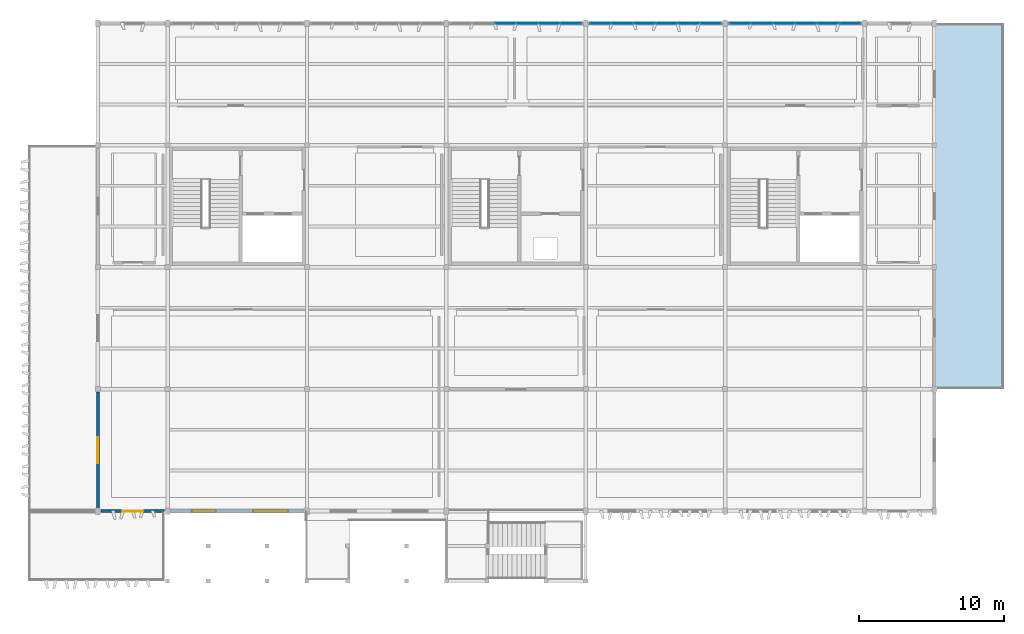
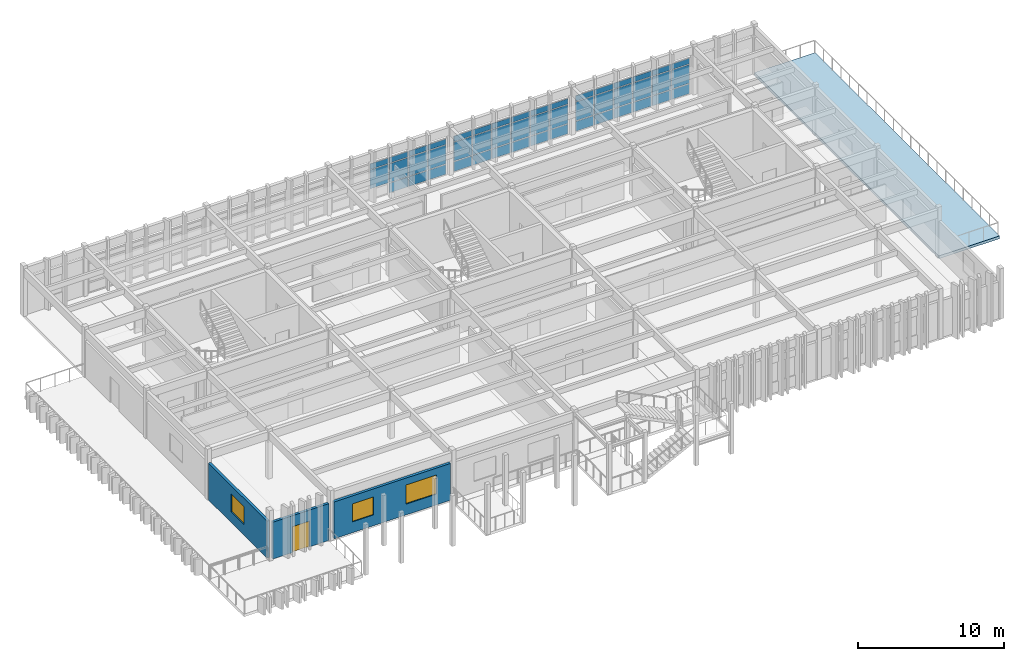
# One storey, part 7 of 14: 47 plates, 3 walls, 3 windows, 1 door, 1 slab, 4 openings, 3 elements without a shape of their own.
"""IFC4 building model written with IfcOpenShell, lengths in metres."""

from ifc_helpers import new_model, si_unit, direction, frame, frame_2d, origin, origin_2d, place, context, subcontext, project, spatial, polyline, rectangle, outline, extrude, material, layer, layer_set, type_object, element, fill, aggregate, save


model = new_model("IFC4")

# Units and contexts
model_context = context("Model", 3, precision=1e-05, world=origin(), true_north=direction((0.0, 1.0)))
body_context = subcontext(model_context, "Body", "Model", "MODEL_VIEW")
ifc_project = project(units=[si_unit("LENGTHUNIT", "METRE"), si_unit("AREAUNIT", "SQUARE_METRE"), si_unit("VOLUMEUNIT", "CUBIC_METRE"), si_unit("PLANEANGLEUNIT", "RADIAN"), si_unit("MASSUNIT", "GRAM", prefix="KILO")], contexts=[model_context])

# Site, building, storey
site_placement = place(None, origin())
site = spatial("IfcSite", under=ifc_project, at=site_placement, CompositionType="ELEMENT")
building_placement = place(site_placement, origin())
building = spatial("IfcBuilding", under=site, at=building_placement, Name="Kolvemor Railside Polytechnic", CompositionType="ELEMENT")
storey_placement = place(building_placement, frame((0.0, 0.0, 22.800048828125)))
storey = spatial("IfcBuildingStorey", under=building, at=storey_placement, Name="L05", CompositionType="ELEMENT", Elevation=22.800048828125)

# Curtain wall, plates
ifc_material_1 = material(Name="Anodised marine aluminium and laminated low-E glass", Category="aluminium")
ifc_layer_1 = layer(ifc_material_1, 0.179931640625, Name="CW-UNIT-STD")
ifc_layer_set_1 = layer_set([ifc_layer_1], Name="Anodised marine aluminium and laminated low-E glass")
curtain_wall_type = type_object("IfcCurtainWallType", Name="CW-UNIT-STD", PredefinedType="USERDEFINED", material=ifc_layer_set_1)
curtain_wall_1_placement = place(storey_placement, origin())
curtain_wall_1 = element("IfcCurtainWall", 1, at=curtain_wall_1_placement, inside=storey, type_object=curtain_wall_type, Name="Curtain Wall L05-138", ObjectType="UNITISED CURTAIN WALL", PredefinedType="USERDEFINED")
ifc_material_2 = material(Name="Hurricane-laminated solar-control low-E glass", Category="glass")
ifc_layer_2 = layer(ifc_material_2, 0.0400390625, Name="CWP-GLZ-10")
ifc_layer_set_2 = layer_set([ifc_layer_2], Name="Hurricane-laminated solar-control low-E glass")
plate_type_1 = type_object("IfcPlateType", Name="CWP-GLZ-10", PredefinedType="CURTAIN_PANEL", material=ifc_layer_set_2)
plate_1_placement = place(storey_placement, frame((94.983642578125, 38.39990234375, 0.06494140625), z_axis=(0.0, 0.0, 1.0), x_axis=(-1.0, 0.0, 0.0)))
plate_1 = element("IfcPlate", 2, at=plate_1_placement, type_object=plate_type_1, Name="CW-STD panel 1.1", PredefinedType="CURTAIN_PANEL", context=body_context, shape_type="SweptSolid", body=[
    extrude(rectangle(XDim=1.422607421875, YDim=0.0400390625, at=origin_2d()), origin(), (0.0, 0.0, 1.0), 0.802490234375),
])
plate_2_placement = place(storey_placement, frame((94.983642578125, 38.39990234375, 0.9326171875), z_axis=(0.0, 0.0, 1.0), x_axis=(-1.0, 0.0, 0.0)))
plate_2 = element("IfcPlate", 3, at=plate_2_placement, type_object=plate_type_1, Name="CW-STD panel 1.2", PredefinedType="CURTAIN_PANEL", context=body_context, shape_type="SweptSolid", body=[
    extrude(rectangle(XDim=1.422607421875, YDim=0.0400390625, at=origin_2d()), origin(), (0.0, 0.0, 1.0), 1.554931640625),
])
plate_3_placement = place(storey_placement, frame((94.983642578125, 38.39990234375, 2.552734375), z_axis=(0.0, 0.0, 1.0), x_axis=(-1.0, 0.0, 0.0)))
plate_3 = element("IfcPlate", 4, at=plate_3_placement, type_object=plate_type_1, Name="CW-STD panel 1.3", PredefinedType="CURTAIN_PANEL", context=body_context, shape_type="SweptSolid", body=[
    extrude(rectangle(XDim=1.422607421875, YDim=0.0400390625, at=origin_2d()), origin(), (0.0, 0.0, 1.0), 0.452392578125),
])
plate_4_placement = place(storey_placement, frame((93.47998046875, 38.39990234375, 0.06494140625), z_axis=(0.0, 0.0, 1.0), x_axis=(-1.0, 0.0, 0.0)))
plate_4 = element("IfcPlate", 5, at=plate_4_placement, type_object=plate_type_1, Name="CW-STD panel 2.1", PredefinedType="CURTAIN_PANEL", context=body_context, shape_type="SweptSolid", body=[
    extrude(rectangle(XDim=1.455078125, YDim=0.0400390625, at=origin_2d()), origin(), (0.0, 0.0, 1.0), 0.802490234375),
])
plate_5_placement = place(storey_placement, frame((93.47998046875, 38.39990234375, 0.9326171875), z_axis=(0.0, 0.0, 1.0), x_axis=(-1.0, 0.0, 0.0)))
plate_5 = element("IfcPlate", 6, at=plate_5_placement, type_object=plate_type_1, Name="CW-STD panel 2.2", PredefinedType="CURTAIN_PANEL", context=body_context, shape_type="SweptSolid", body=[
    extrude(rectangle(XDim=1.455078125, YDim=0.0400390625, at=origin_2d()), origin(), (0.0, 0.0, 1.0), 1.554931640625),
])
plate_6_placement = place(storey_placement, frame((93.47998046875, 38.39990234375, 2.552734375), z_axis=(0.0, 0.0, 1.0), x_axis=(-1.0, 0.0, 0.0)))
plate_6 = element("IfcPlate", 7, at=plate_6_placement, type_object=plate_type_1, Name="CW-STD panel 2.3", PredefinedType="CURTAIN_PANEL", context=body_context, shape_type="SweptSolid", body=[
    extrude(rectangle(XDim=1.455078125, YDim=0.0400390625, at=origin_2d()), origin(), (0.0, 0.0, 1.0), 0.452392578125),
])
plate_7_placement = place(storey_placement, frame((91.9599609375, 38.39990234375, 0.06494140625), z_axis=(0.0, 0.0, 1.0), x_axis=(-1.0, 0.0, 0.0)))
plate_7 = element("IfcPlate", 8, at=plate_7_placement, type_object=plate_type_1, Name="CW-STD panel 3.1", PredefinedType="CURTAIN_PANEL", context=body_context, shape_type="SweptSolid", body=[
    extrude(rectangle(XDim=1.455078125, YDim=0.0400390625, at=origin_2d()), origin(), (0.0, 0.0, 1.0), 0.802490234375),
])
plate_8_placement = place(storey_placement, frame((91.9599609375, 38.39990234375, 0.9326171875), z_axis=(0.0, 0.0, 1.0), x_axis=(-1.0, 0.0, 0.0)))
plate_8 = element("IfcPlate", 9, at=plate_8_placement, type_object=plate_type_1, Name="CW-STD panel 3.2", PredefinedType="CURTAIN_PANEL", context=body_context, shape_type="SweptSolid", body=[
    extrude(rectangle(XDim=1.455078125, YDim=0.0400390625, at=origin_2d()), origin(), (0.0, 0.0, 1.0), 1.554931640625),
])
plate_9_placement = place(storey_placement, frame((91.9599609375, 38.39990234375, 2.552734375), z_axis=(0.0, 0.0, 1.0), x_axis=(-1.0, 0.0, 0.0)))
plate_9 = element("IfcPlate", 10, at=plate_9_placement, type_object=plate_type_1, Name="CW-STD panel 3.3", PredefinedType="CURTAIN_PANEL", context=body_context, shape_type="SweptSolid", body=[
    extrude(rectangle(XDim=1.455078125, YDim=0.0400390625, at=origin_2d()), origin(), (0.0, 0.0, 1.0), 0.452392578125),
])
plate_10_placement = place(storey_placement, frame((90.43994140625, 38.39990234375, 0.9326171875), z_axis=(0.0, 0.0, 1.0), x_axis=(-1.0, 0.0, 0.0)))
plate_10 = element("IfcPlate", 11, at=plate_10_placement, type_object=plate_type_1, Name="CW-STD panel 4.2", PredefinedType="CURTAIN_PANEL", context=body_context, shape_type="SweptSolid", body=[
    extrude(rectangle(XDim=1.455078125, YDim=0.0400390625, at=origin_2d()), origin(), (0.0, 0.0, 1.0), 1.554931640625),
])
plate_11_placement = place(storey_placement, frame((90.43994140625, 38.39990234375, 2.552734375), z_axis=(0.0, 0.0, 1.0), x_axis=(-1.0, 0.0, 0.0)))
plate_11 = element("IfcPlate", 12, at=plate_11_placement, type_object=plate_type_1, Name="CW-STD panel 4.3", PredefinedType="CURTAIN_PANEL", context=body_context, shape_type="SweptSolid", body=[
    extrude(rectangle(XDim=1.455078125, YDim=0.0400390625, at=origin_2d()), origin(), (0.0, 0.0, 1.0), 0.452392578125),
])
aggregate(curtain_wall_1, [plate_1, plate_2, plate_3, plate_4, plate_5, plate_6, plate_7, plate_8, plate_9, plate_10, plate_11])

curtain_wall_2_placement = place(storey_placement, origin())
curtain_wall_2 = element("IfcCurtainWall", 13, at=curtain_wall_2_placement, inside=storey, type_object=curtain_wall_type, Name="Curtain Wall L05-139", ObjectType="UNITISED CURTAIN WALL", PredefinedType="USERDEFINED")
ifc_material_3 = material(Name="Hurricane-laminated solar-control low-E glass", Category="glass")
ifc_layer_3 = layer(ifc_material_3, 0.0419921875, Name="CWP-GLZ-11")
ifc_layer_set_3 = layer_set([ifc_layer_3], Name="Hurricane-laminated solar-control low-E glass")
plate_type_2 = type_object("IfcPlateType", Name="CWP-GLZ-11", PredefinedType="CURTAIN_PANEL", material=ifc_layer_set_3)
plate_12_placement = place(storey_placement, frame((104.583740234375, 38.39990234375, 0.06494140625), z_axis=(0.0, 0.0, 1.0), x_axis=(-1.0, 0.0, 0.0)))
plate_12 = element("IfcPlate", 14, at=plate_12_placement, type_object=plate_type_2, Name="CW-STD panel 1.1", PredefinedType="CURTAIN_PANEL", context=body_context, shape_type="SweptSolid", body=[
    extrude(rectangle(XDim=1.422607421875, YDim=0.0419921875, at=origin_2d()), origin(), (0.0, 0.0, 1.0), 0.802490234375),
])
plate_13_placement = place(storey_placement, frame((104.583740234375, 38.39990234375, 0.9326171875), z_axis=(0.0, 0.0, 1.0), x_axis=(-1.0, 0.0, 0.0)))
plate_13 = element("IfcPlate", 15, at=plate_13_placement, type_object=plate_type_2, Name="CW-STD panel 1.2", PredefinedType="CURTAIN_PANEL", context=body_context, shape_type="SweptSolid", body=[
    extrude(rectangle(XDim=1.422607421875, YDim=0.0419921875, at=origin_2d()), origin(), (0.0, 0.0, 1.0), 1.554931640625),
])
plate_14_placement = place(storey_placement, frame((104.583740234375, 38.39990234375, 2.552734375), z_axis=(0.0, 0.0, 1.0), x_axis=(-1.0, 0.0, 0.0)))
plate_14 = element("IfcPlate", 16, at=plate_14_placement, type_object=plate_type_2, Name="CW-STD panel 1.3", PredefinedType="CURTAIN_PANEL", context=body_context, shape_type="SweptSolid", body=[
    extrude(rectangle(XDim=1.422607421875, YDim=0.0419921875, at=origin_2d()), origin(), (0.0, 0.0, 1.0), 0.452392578125),
])
plate_15_placement = place(storey_placement, frame((103.080078125, 38.39990234375, 0.06494140625), z_axis=(0.0, 0.0, 1.0), x_axis=(-1.0, 0.0, 0.0)))
plate_15 = element("IfcPlate", 17, at=plate_15_placement, type_object=plate_type_2, Name="CW-STD panel 2.1", PredefinedType="CURTAIN_PANEL", context=body_context, shape_type="SweptSolid", body=[
    extrude(rectangle(XDim=1.455078125, YDim=0.0419921875, at=origin_2d()), origin(), (0.0, 0.0, 1.0), 0.802490234375),
])
plate_16_placement = place(storey_placement, frame((103.080078125, 38.39990234375, 0.9326171875), z_axis=(0.0, 0.0, 1.0), x_axis=(-1.0, 0.0, 0.0)))
plate_16 = element("IfcPlate", 18, at=plate_16_placement, type_object=plate_type_2, Name="CW-STD panel 2.2", PredefinedType="CURTAIN_PANEL", context=body_context, shape_type="SweptSolid", body=[
    extrude(rectangle(XDim=1.455078125, YDim=0.0419921875, at=origin_2d()), origin(), (0.0, 0.0, 1.0), 1.554931640625),
])
plate_17_placement = place(storey_placement, frame((103.080078125, 38.39990234375, 2.552734375), z_axis=(0.0, 0.0, 1.0), x_axis=(-1.0, 0.0, 0.0)))
plate_17 = element("IfcPlate", 19, at=plate_17_placement, type_object=plate_type_2, Name="CW-STD panel 2.3", PredefinedType="CURTAIN_PANEL", context=body_context, shape_type="SweptSolid", body=[
    extrude(rectangle(XDim=1.455078125, YDim=0.0419921875, at=origin_2d()), origin(), (0.0, 0.0, 1.0), 0.452392578125),
])
plate_18_placement = place(storey_placement, frame((101.56005859375, 38.39990234375, 0.06494140625), z_axis=(0.0, 0.0, 1.0), x_axis=(-1.0, 0.0, 0.0)))
plate_18 = element("IfcPlate", 20, at=plate_18_placement, type_object=plate_type_2, Name="CW-STD panel 3.1", PredefinedType="CURTAIN_PANEL", context=body_context, shape_type="SweptSolid", body=[
    extrude(rectangle(XDim=1.455078125, YDim=0.0419921875, at=origin_2d()), origin(), (0.0, 0.0, 1.0), 0.802490234375),
])
plate_19_placement = place(storey_placement, frame((101.56005859375, 38.39990234375, 0.9326171875), z_axis=(0.0, 0.0, 1.0), x_axis=(-1.0, 0.0, 0.0)))
plate_19 = element("IfcPlate", 21, at=plate_19_placement, type_object=plate_type_2, Name="CW-STD panel 3.2", PredefinedType="CURTAIN_PANEL", context=body_context, shape_type="SweptSolid", body=[
    extrude(rectangle(XDim=1.455078125, YDim=0.0419921875, at=origin_2d()), origin(), (0.0, 0.0, 1.0), 1.554931640625),
])
plate_20_placement = place(storey_placement, frame((101.56005859375, 38.39990234375, 2.552734375), z_axis=(0.0, 0.0, 1.0), x_axis=(-1.0, 0.0, 0.0)))
plate_20 = element("IfcPlate", 22, at=plate_20_placement, type_object=plate_type_2, Name="CW-STD panel 3.3", PredefinedType="CURTAIN_PANEL", context=body_context, shape_type="SweptSolid", body=[
    extrude(rectangle(XDim=1.455078125, YDim=0.0419921875, at=origin_2d()), origin(), (0.0, 0.0, 1.0), 0.452392578125),
])
plate_21_placement = place(storey_placement, frame((100.0400390625, 38.39990234375, 0.06494140625), z_axis=(0.0, 0.0, 1.0), x_axis=(-1.0, 0.0, 0.0)))
plate_21 = element("IfcPlate", 23, at=plate_21_placement, type_object=plate_type_2, Name="CW-STD panel 4.1", PredefinedType="CURTAIN_PANEL", context=body_context, shape_type="SweptSolid", body=[
    extrude(rectangle(XDim=1.455078125, YDim=0.0419921875, at=origin_2d()), origin(), (0.0, 0.0, 1.0), 0.802490234375),
])
plate_22_placement = place(storey_placement, frame((100.0400390625, 38.39990234375, 0.9326171875), z_axis=(0.0, 0.0, 1.0), x_axis=(-1.0, 0.0, 0.0)))
plate_22 = element("IfcPlate", 24, at=plate_22_placement, type_object=plate_type_2, Name="CW-STD panel 4.2", PredefinedType="CURTAIN_PANEL", context=body_context, shape_type="SweptSolid", body=[
    extrude(rectangle(XDim=1.455078125, YDim=0.0419921875, at=origin_2d()), origin(), (0.0, 0.0, 1.0), 1.554931640625),
])
plate_23_placement = place(storey_placement, frame((100.0400390625, 38.39990234375, 2.552734375), z_axis=(0.0, 0.0, 1.0), x_axis=(-1.0, 0.0, 0.0)))
plate_23 = element("IfcPlate", 25, at=plate_23_placement, type_object=plate_type_2, Name="CW-STD panel 4.3", PredefinedType="CURTAIN_PANEL", context=body_context, shape_type="SweptSolid", body=[
    extrude(rectangle(XDim=1.455078125, YDim=0.0419921875, at=origin_2d()), origin(), (0.0, 0.0, 1.0), 0.452392578125),
])
plate_24_placement = place(storey_placement, frame((98.52001953125, 38.39990234375, 0.06494140625), z_axis=(0.0, 0.0, 1.0), x_axis=(-1.0, 0.0, 0.0)))
plate_24 = element("IfcPlate", 26, at=plate_24_placement, type_object=plate_type_2, Name="CW-STD panel 5.1", PredefinedType="CURTAIN_PANEL", context=body_context, shape_type="SweptSolid", body=[
    extrude(rectangle(XDim=1.455078125, YDim=0.0419921875, at=origin_2d()), origin(), (0.0, 0.0, 1.0), 0.802490234375),
])
plate_25_placement = place(storey_placement, frame((98.52001953125, 38.39990234375, 0.9326171875), z_axis=(0.0, 0.0, 1.0), x_axis=(-1.0, 0.0, 0.0)))
plate_25 = element("IfcPlate", 27, at=plate_25_placement, type_object=plate_type_2, Name="CW-STD panel 5.2", PredefinedType="CURTAIN_PANEL", context=body_context, shape_type="SweptSolid", body=[
    extrude(rectangle(XDim=1.455078125, YDim=0.0419921875, at=origin_2d()), origin(), (0.0, 0.0, 1.0), 1.554931640625),
])
plate_26_placement = place(storey_placement, frame((98.52001953125, 38.39990234375, 2.552734375), z_axis=(0.0, 0.0, 1.0), x_axis=(-1.0, 0.0, 0.0)))
plate_26 = element("IfcPlate", 28, at=plate_26_placement, type_object=plate_type_2, Name="CW-STD panel 5.3", PredefinedType="CURTAIN_PANEL", context=body_context, shape_type="SweptSolid", body=[
    extrude(rectangle(XDim=1.455078125, YDim=0.0419921875, at=origin_2d()), origin(), (0.0, 0.0, 1.0), 0.452392578125),
])
plate_27_placement = place(storey_placement, frame((97.016357421875, 38.39990234375, 0.06494140625), z_axis=(0.0, 0.0, 1.0), x_axis=(-1.0, 0.0, 0.0)))
plate_27 = element("IfcPlate", 29, at=plate_27_placement, type_object=plate_type_2, Name="CW-STD panel 6.1", PredefinedType="CURTAIN_PANEL", context=body_context, shape_type="SweptSolid", body=[
    extrude(rectangle(XDim=1.422607421875, YDim=0.0419921875, at=origin_2d()), origin(), (0.0, 0.0, 1.0), 0.802490234375),
])
plate_28_placement = place(storey_placement, frame((97.016357421875, 38.39990234375, 0.9326171875), z_axis=(0.0, 0.0, 1.0), x_axis=(-1.0, 0.0, 0.0)))
plate_28 = element("IfcPlate", 30, at=plate_28_placement, type_object=plate_type_2, Name="CW-STD panel 6.2", PredefinedType="CURTAIN_PANEL", context=body_context, shape_type="SweptSolid", body=[
    extrude(rectangle(XDim=1.422607421875, YDim=0.0419921875, at=origin_2d()), origin(), (0.0, 0.0, 1.0), 1.554931640625),
])
plate_29_placement = place(storey_placement, frame((97.016357421875, 38.39990234375, 2.552734375), z_axis=(0.0, 0.0, 1.0), x_axis=(-1.0, 0.0, 0.0)))
plate_29 = element("IfcPlate", 31, at=plate_29_placement, type_object=plate_type_2, Name="CW-STD panel 6.3", PredefinedType="CURTAIN_PANEL", context=body_context, shape_type="SweptSolid", body=[
    extrude(rectangle(XDim=1.422607421875, YDim=0.0419921875, at=origin_2d()), origin(), (0.0, 0.0, 1.0), 0.452392578125),
])
aggregate(curtain_wall_2, [plate_12, plate_13, plate_14, plate_15, plate_16, plate_17, plate_18, plate_19, plate_20, plate_21, plate_22, plate_23, plate_24, plate_25, plate_26, plate_27, plate_28, plate_29])

curtain_wall_3_placement = place(storey_placement, origin())
curtain_wall_3 = element("IfcCurtainWall", 32, at=curtain_wall_3_placement, inside=storey, type_object=curtain_wall_type, Name="Curtain Wall L05-140", ObjectType="UNITISED CURTAIN WALL", PredefinedType="USERDEFINED")
ifc_material_4 = material(Name="Hurricane-laminated solar-control low-E glass", Category="glass")
ifc_layer_4 = layer(ifc_material_4, 0.0439453125, Name="CWP-GLZ-12")
ifc_layer_set_4 = layer_set([ifc_layer_4], Name="Hurricane-laminated solar-control low-E glass")
plate_type_3 = type_object("IfcPlateType", Name="CWP-GLZ-12", PredefinedType="CURTAIN_PANEL", material=ifc_layer_set_4)
plate_30_placement = place(storey_placement, frame((114.183837890625, 38.39990234375, 0.06494140625), z_axis=(0.0, 0.0, 1.0), x_axis=(-1.0, 0.0, 0.0)))
plate_30 = element("IfcPlate", 33, at=plate_30_placement, type_object=plate_type_3, Name="CW-STD panel 1.1", PredefinedType="CURTAIN_PANEL", context=body_context, shape_type="SweptSolid", body=[
    extrude(rectangle(XDim=1.422607421875, YDim=0.0439453125, at=origin_2d()), origin(), (0.0, 0.0, 1.0), 0.802490234375),
])
plate_31_placement = place(storey_placement, frame((114.183837890625, 38.39990234375, 0.9326171875), z_axis=(0.0, 0.0, 1.0), x_axis=(-1.0, 0.0, 0.0)))
plate_31 = element("IfcPlate", 34, at=plate_31_placement, type_object=plate_type_3, Name="CW-STD panel 1.2", PredefinedType="CURTAIN_PANEL", context=body_context, shape_type="SweptSolid", body=[
    extrude(rectangle(XDim=1.422607421875, YDim=0.0439453125, at=origin_2d()), origin(), (0.0, 0.0, 1.0), 1.554931640625),
])
plate_32_placement = place(storey_placement, frame((114.183837890625, 38.39990234375, 2.552734375), z_axis=(0.0, 0.0, 1.0), x_axis=(-1.0, 0.0, 0.0)))
plate_32 = element("IfcPlate", 35, at=plate_32_placement, type_object=plate_type_3, Name="CW-STD panel 1.3", PredefinedType="CURTAIN_PANEL", context=body_context, shape_type="SweptSolid", body=[
    extrude(rectangle(XDim=1.422607421875, YDim=0.0439453125, at=origin_2d()), origin(), (0.0, 0.0, 1.0), 0.452392578125),
])
plate_33_placement = place(storey_placement, frame((112.679931640625, 38.39990234375, 0.06494140625), z_axis=(0.0, 0.0, 1.0), x_axis=(-1.0, 0.0, 0.0)))
plate_33 = element("IfcPlate", 36, at=plate_33_placement, type_object=plate_type_3, Name="CW-STD panel 2.1", PredefinedType="CURTAIN_PANEL", context=body_context, shape_type="SweptSolid", body=[
    extrude(rectangle(XDim=1.455078125, YDim=0.0439453125, at=origin_2d()), origin(), (0.0, 0.0, 1.0), 0.802490234375),
])
plate_34_placement = place(storey_placement, frame((112.679931640625, 38.39990234375, 0.9326171875), z_axis=(0.0, 0.0, 1.0), x_axis=(-1.0, 0.0, 0.0)))
plate_34 = element("IfcPlate", 37, at=plate_34_placement, type_object=plate_type_3, Name="CW-STD panel 2.2", PredefinedType="CURTAIN_PANEL", context=body_context, shape_type="SweptSolid", body=[
    extrude(rectangle(XDim=1.455078125, YDim=0.0439453125, at=origin_2d()), origin(), (0.0, 0.0, 1.0), 1.554931640625),
])
plate_35_placement = place(storey_placement, frame((112.679931640625, 38.39990234375, 2.552734375), z_axis=(0.0, 0.0, 1.0), x_axis=(-1.0, 0.0, 0.0)))
plate_35 = element("IfcPlate", 38, at=plate_35_placement, type_object=plate_type_3, Name="CW-STD panel 2.3", PredefinedType="CURTAIN_PANEL", context=body_context, shape_type="SweptSolid", body=[
    extrude(rectangle(XDim=1.455078125, YDim=0.0439453125, at=origin_2d()), origin(), (0.0, 0.0, 1.0), 0.452392578125),
])
plate_36_placement = place(storey_placement, frame((111.159912109375, 38.39990234375, 0.06494140625), z_axis=(0.0, 0.0, 1.0), x_axis=(-1.0, 0.0, 0.0)))
plate_36 = element("IfcPlate", 39, at=plate_36_placement, type_object=plate_type_3, Name="CW-STD panel 3.1", PredefinedType="CURTAIN_PANEL", context=body_context, shape_type="SweptSolid", body=[
    extrude(rectangle(XDim=1.455078125, YDim=0.0439453125, at=origin_2d()), origin(), (0.0, 0.0, 1.0), 0.802490234375),
])
plate_37_placement = place(storey_placement, frame((111.159912109375, 38.39990234375, 0.9326171875), z_axis=(0.0, 0.0, 1.0), x_axis=(-1.0, 0.0, 0.0)))
plate_37 = element("IfcPlate", 40, at=plate_37_placement, type_object=plate_type_3, Name="CW-STD panel 3.2", PredefinedType="CURTAIN_PANEL", context=body_context, shape_type="SweptSolid", body=[
    extrude(rectangle(XDim=1.455078125, YDim=0.0439453125, at=origin_2d()), origin(), (0.0, 0.0, 1.0), 1.554931640625),
])
plate_38_placement = place(storey_placement, frame((111.159912109375, 38.39990234375, 2.552734375), z_axis=(0.0, 0.0, 1.0), x_axis=(-1.0, 0.0, 0.0)))
plate_38 = element("IfcPlate", 41, at=plate_38_placement, type_object=plate_type_3, Name="CW-STD panel 3.3", PredefinedType="CURTAIN_PANEL", context=body_context, shape_type="SweptSolid", body=[
    extrude(rectangle(XDim=1.455078125, YDim=0.0439453125, at=origin_2d()), origin(), (0.0, 0.0, 1.0), 0.452392578125),
])
plate_39_placement = place(storey_placement, frame((109.639892578125, 38.39990234375, 0.06494140625), z_axis=(0.0, 0.0, 1.0), x_axis=(-1.0, 0.0, 0.0)))
plate_39 = element("IfcPlate", 42, at=plate_39_placement, type_object=plate_type_3, Name="CW-STD panel 4.1", PredefinedType="CURTAIN_PANEL", context=body_context, shape_type="SweptSolid", body=[
    extrude(rectangle(XDim=1.455078125, YDim=0.0439453125, at=origin_2d()), origin(), (0.0, 0.0, 1.0), 0.802490234375),
])
plate_40_placement = place(storey_placement, frame((109.639892578125, 38.39990234375, 0.9326171875), z_axis=(0.0, 0.0, 1.0), x_axis=(-1.0, 0.0, 0.0)))
plate_40 = element("IfcPlate", 43, at=plate_40_placement, type_object=plate_type_3, Name="CW-STD panel 4.2", PredefinedType="CURTAIN_PANEL", context=body_context, shape_type="SweptSolid", body=[
    extrude(rectangle(XDim=1.455078125, YDim=0.0439453125, at=origin_2d()), origin(), (0.0, 0.0, 1.0), 1.554931640625),
])
plate_41_placement = place(storey_placement, frame((109.639892578125, 38.39990234375, 2.552734375), z_axis=(0.0, 0.0, 1.0), x_axis=(-1.0, 0.0, 0.0)))
plate_41 = element("IfcPlate", 44, at=plate_41_placement, type_object=plate_type_3, Name="CW-STD panel 4.3", PredefinedType="CURTAIN_PANEL", context=body_context, shape_type="SweptSolid", body=[
    extrude(rectangle(XDim=1.455078125, YDim=0.0439453125, at=origin_2d()), origin(), (0.0, 0.0, 1.0), 0.452392578125),
])
plate_42_placement = place(storey_placement, frame((108.1201171875, 38.39990234375, 0.06494140625), z_axis=(0.0, 0.0, 1.0), x_axis=(-1.0, 0.0, 0.0)))
plate_42 = element("IfcPlate", 45, at=plate_42_placement, type_object=plate_type_3, Name="CW-STD panel 5.1", PredefinedType="CURTAIN_PANEL", context=body_context, shape_type="SweptSolid", body=[
    extrude(rectangle(XDim=1.455078125, YDim=0.0439453125, at=origin_2d()), origin(), (0.0, 0.0, 1.0), 0.802490234375),
])
plate_43_placement = place(storey_placement, frame((108.1201171875, 38.39990234375, 0.9326171875), z_axis=(0.0, 0.0, 1.0), x_axis=(-1.0, 0.0, 0.0)))
plate_43 = element("IfcPlate", 46, at=plate_43_placement, type_object=plate_type_3, Name="CW-STD panel 5.2", PredefinedType="CURTAIN_PANEL", context=body_context, shape_type="SweptSolid", body=[
    extrude(rectangle(XDim=1.455078125, YDim=0.0439453125, at=origin_2d()), origin(), (0.0, 0.0, 1.0), 1.554931640625),
])
plate_44_placement = place(storey_placement, frame((108.1201171875, 38.39990234375, 2.552734375), z_axis=(0.0, 0.0, 1.0), x_axis=(-1.0, 0.0, 0.0)))
plate_44 = element("IfcPlate", 47, at=plate_44_placement, type_object=plate_type_3, Name="CW-STD panel 5.3", PredefinedType="CURTAIN_PANEL", context=body_context, shape_type="SweptSolid", body=[
    extrude(rectangle(XDim=1.455078125, YDim=0.0439453125, at=origin_2d()), origin(), (0.0, 0.0, 1.0), 0.452392578125),
])
plate_45_placement = place(storey_placement, frame((106.6162109375, 38.39990234375, 0.06494140625), z_axis=(0.0, 0.0, 1.0), x_axis=(-1.0, 0.0, 0.0)))
plate_45 = element("IfcPlate", 48, at=plate_45_placement, type_object=plate_type_3, Name="CW-STD panel 6.1", PredefinedType="CURTAIN_PANEL", context=body_context, shape_type="SweptSolid", body=[
    extrude(rectangle(XDim=1.422607421875, YDim=0.0439453125, at=origin_2d()), origin(), (0.0, 0.0, 1.0), 0.802490234375),
])
plate_46_placement = place(storey_placement, frame((106.6162109375, 38.39990234375, 0.9326171875), z_axis=(0.0, 0.0, 1.0), x_axis=(-1.0, 0.0, 0.0)))
plate_46 = element("IfcPlate", 49, at=plate_46_placement, type_object=plate_type_3, Name="CW-STD panel 6.2", PredefinedType="CURTAIN_PANEL", context=body_context, shape_type="SweptSolid", body=[
    extrude(rectangle(XDim=1.422607421875, YDim=0.0439453125, at=origin_2d()), origin(), (0.0, 0.0, 1.0), 1.554931640625),
])
plate_47_placement = place(storey_placement, frame((106.6162109375, 38.39990234375, 2.552734375), z_axis=(0.0, 0.0, 1.0), x_axis=(-1.0, 0.0, 0.0)))
plate_47 = element("IfcPlate", 50, at=plate_47_placement, type_object=plate_type_3, Name="CW-STD panel 6.3", PredefinedType="CURTAIN_PANEL", context=body_context, shape_type="SweptSolid", body=[
    extrude(rectangle(XDim=1.422607421875, YDim=0.0439453125, at=origin_2d()), origin(), (0.0, 0.0, 1.0), 0.452392578125),
])
aggregate(curtain_wall_3, [plate_30, plate_31, plate_32, plate_33, plate_34, plate_35, plate_36, plate_37, plate_38, plate_39, plate_40, plate_41, plate_42, plate_43, plate_44, plate_45, plate_46, plate_47])

# Slab
ifc_material_5 = material(Name="Cross-laminated timber CLT E1", Category="wood")
ifc_layer_5 = layer(ifc_material_5, 0.22998046875, Name="SLB-TER-230")
ifc_layer_set_5 = layer_set([ifc_layer_5], Name="Cross-laminated timber CLT E1")
slab_type = type_object("IfcSlabType", Name="SLB-TER-230", PredefinedType="FLOOR", material=ifc_layer_set_5)
slab_placement = place(storey_placement, frame((0.0, 0.0, -0.22998046875)))
element("IfcSlab", 51, at=slab_placement, inside=storey, type_object=slab_type, Name="Corner Study Terrace L05-E L05-102", PredefinedType="FLOOR", context=body_context, shape_type="SweptSolid", body=[
    extrude(outline(polyline([(120.0, 13.199951171875), (124.800048828125, 13.199951171875), (124.800048828125, 38.39990234375), (120.0, 38.39990234375), (120.0, 13.199951171875)])), origin(), (0.0, 0.0, 1.0), 0.22998046875),
])

# Wall, opening, door
ifc_material_6 = material(Name="Cross-laminated timber CLT E1", Category="wood")
ifc_layer_6 = layer(ifc_material_6, 0.2099609375, Name="WL-EXT-TM-210")
ifc_layer_set_6 = layer_set([ifc_layer_6], Name="Cross-laminated timber CLT E1")
wall_type = type_object("IfcWallType", Name="WL-EXT-TM-210", PredefinedType="SOLIDWALL", material=ifc_layer_set_6)
wall_1_placement = place(storey_placement, frame((62.60009765625, 4.800048828125, 0.0), z_axis=(0.0, 0.0, 1.0), x_axis=(1.0, 0.0, 0.0)))
wall_1 = element("IfcWall", 52, at=wall_1_placement, inside=storey, type_object=wall_type, Name="Exterior Wall L05-0138", PredefinedType="SOLIDWALL", context=body_context, shape_type="SweptSolid", body=[
    extrude(rectangle(XDim=4.39990234375, YDim=0.2099609375, at=frame_2d((2.199951171875, 0.0))), origin(), (0.0, 0.0, 1.0), 3.070068359375),
])
opening_1_placement = place(wall_1_placement, frame((1.52490234375, 0.0, 0.0)))
opening_1 = element("IfcOpeningElement", 53, at=opening_1_placement, cuts=wall_1, Name="Opening D-TER-L05SP", PredefinedType="OPENING", context=body_context, shape_type="SweptSolid", body=[
    extrude(rectangle(XDim=1.35009765625, YDim=2.14990234375, at=frame_2d((0.675048828125, 1.074951171875))), frame((0.0, 0.114990234375, 0.0), z_axis=(0.0, -1.0, 0.0), x_axis=(1.0, 0.0, 0.0)), (0.0, 0.0, 1.0), 0.22998046875),
])
ifc_material_7 = material(Name="Marine-grade thermally broken aluminium and laminated glass door", Category="aluminium")
door_type = type_object("IfcDoorType", Name="DR-TER-135x215", OperationType="NOTDEFINED", PredefinedType="DOOR", material=ifc_material_7)
door_placement = place(opening_1_placement, origin())
door = element("IfcDoor", 54, at=door_placement, inside=storey, type_object=door_type, Name="Exterior Door D-TER-L05SP", OperationType="SINGLE_SWING_LEFT", OverallHeight=2.14990234375, OverallWidth=1.35009765625, PredefinedType="DOOR", context=body_context, shape_type="SweptSolid", body=[
    extrude(rectangle(XDim=1.35009765625, YDim=2.14990234375, at=frame_2d((0.675048828125, 1.074951171875))), frame((0.0, 0.02490234375, 0.0), z_axis=(0.0, -1.0, 0.0), x_axis=(1.0, 0.0, 0.0)), (0.0, 0.0, 1.0), 0.050048828125),
])
fill(opening_1, door)

# Wall, openings, windows
wall_2_placement = place(storey_placement, frame((67.39990234375, 4.800048828125, 0.0), z_axis=(0.0, 0.0, 1.0), x_axis=(1.0, 0.0, 0.0)))
wall_2 = element("IfcWall", 55, at=wall_2_placement, inside=storey, type_object=wall_type, Name="Exterior Wall L05-0139", PredefinedType="SOLIDWALL", context=body_context, shape_type="SweptSolid", body=[
    extrude(rectangle(XDim=9.2001953125, YDim=0.2099609375, at=frame_2d((4.60009765625, 0.0))), origin(), (0.0, 0.0, 1.0), 3.070068359375),
])
opening_2_placement = place(wall_2_placement, frame((1.47509765625, 0.0, 0.89990234375)))
opening_2 = element("IfcOpeningElement", 56, at=opening_2_placement, cuts=wall_2, Name="Opening WN-M04", PredefinedType="OPENING", context=body_context, shape_type="SweptSolid", body=[
    extrude(rectangle(XDim=1.64990234375, YDim=1.5, at=frame_2d((0.824951171875, 0.75))), frame((0.0, 0.114990234375, 0.0), z_axis=(0.0, -1.0, 0.0), x_axis=(1.0, 0.0, 0.0)), (0.0, 0.0, 1.0), 0.22998046875),
])
opening_3_placement = place(wall_2_placement, frame((5.699951171875, 0.0, 0.89990234375)))
opening_3 = element("IfcOpeningElement", 57, at=opening_3_placement, cuts=wall_2, Name="Opening WN-STU3", PredefinedType="OPENING", context=body_context, shape_type="SweptSolid", body=[
    extrude(rectangle(XDim=2.39990234375, YDim=1.60009765625, at=frame_2d((1.199951171875, 0.800048828125))), frame((0.0, 0.114990234375, 0.0), z_axis=(0.0, -1.0, 0.0), x_axis=(1.0, 0.0, 0.0)), (0.0, 0.0, 1.0), 0.22998046875),
])
ifc_material_8 = material(Name="Hurricane-laminated thermally broken aluminium window", Category="aluminium")
window_type_1 = type_object("IfcWindowType", Name="WN-MOD-165x150", PartitioningType="SINGLE_PANEL", PredefinedType="WINDOW", material=ifc_material_8)
window_1_placement = place(opening_2_placement, origin())
window_1 = element("IfcWindow", 58, at=window_1_placement, inside=storey, type_object=window_type_1, Name="Window L05-0148", OverallHeight=1.5, OverallWidth=1.64990234375, PartitioningType="SINGLE_PANEL", PredefinedType="WINDOW", context=body_context, shape_type="SweptSolid", body=[
    extrude(rectangle(XDim=1.64990234375, YDim=1.5, at=frame_2d((0.824951171875, 0.75))), frame((0.0, 0.030029296875, 0.0), z_axis=(0.0, -1.0, 0.0), x_axis=(1.0, 0.0, 0.0)), (0.0, 0.0, 1.0), 0.06005859375),
])
fill(opening_2, window_1)
ifc_material_9 = material(Name="Hurricane-laminated thermally broken aluminium window", Category="aluminium")
window_type_2 = type_object("IfcWindowType", Name="WN-STU-240x160", PartitioningType="DOUBLE_PANEL_VERTICAL", PredefinedType="WINDOW", material=ifc_material_9)
window_2_placement = place(opening_3_placement, origin())
window_2 = element("IfcWindow", 59, at=window_2_placement, inside=storey, type_object=window_type_2, Name="Window L05-0149", OverallHeight=1.60009765625, OverallWidth=2.39990234375, PartitioningType="SINGLE_PANEL", PredefinedType="WINDOW", context=body_context, shape_type="SweptSolid", body=[
    extrude(rectangle(XDim=2.39990234375, YDim=1.60009765625, at=frame_2d((1.199951171875, 0.800048828125))), frame((0.0, 0.030029296875, 0.0), z_axis=(0.0, -1.0, 0.0), x_axis=(1.0, 0.0, 0.0)), (0.0, 0.0, 1.0), 0.06005859375),
])
fill(opening_3, window_2)

# Wall, opening, window
wall_3_placement = place(storey_placement, frame((62.39990234375, 13.0, 0.0), z_axis=(0.0, 0.0, 1.0), x_axis=(0.0, -1.0, 0.0)))
wall_3 = element("IfcWall", 60, at=wall_3_placement, inside=storey, type_object=wall_type, Name="Exterior Wall L05-0177", PredefinedType="SOLIDWALL", context=body_context, shape_type="SweptSolid", body=[
    extrude(rectangle(XDim=8.0, YDim=0.2099609375, at=frame_2d((4.0, 0.0))), origin(), (0.0, 0.0, 1.0), 3.070068359375),
])
opening_4_placement = place(wall_3_placement, frame((3.10009765625, 0.0, 0.89990234375)))
opening_4 = element("IfcOpeningElement", 61, at=opening_4_placement, cuts=wall_3, Name="Opening WN-LAB", PredefinedType="OPENING", context=body_context, shape_type="SweptSolid", body=[
    extrude(rectangle(XDim=1.800048828125, YDim=1.5, at=frame_2d((0.89990234375, 0.75))), frame((0.0, 0.114990234375, 0.0), z_axis=(0.0, -1.0, 0.0), x_axis=(1.0, 0.0, 0.0)), (0.0, 0.0, 1.0), 0.22998046875),
])
ifc_material_10 = material(Name="Hurricane-laminated thermally broken aluminium window", Category="aluminium")
window_type_3 = type_object("IfcWindowType", Name="WN-LAB-180x150", PartitioningType="DOUBLE_PANEL_VERTICAL", PredefinedType="WINDOW", material=ifc_material_10)
window_3_placement = place(opening_4_placement, origin())
window_3 = element("IfcWindow", 62, at=window_3_placement, inside=storey, type_object=window_type_3, Name="Window L05-0180", OverallHeight=1.5, OverallWidth=1.800048828125, PartitioningType="SINGLE_PANEL", PredefinedType="WINDOW", context=body_context, shape_type="SweptSolid", body=[
    extrude(rectangle(XDim=1.800048828125, YDim=1.5, at=frame_2d((0.89990234375, 0.75))), frame((0.0, 0.030029296875, 0.0), z_axis=(0.0, -1.0, 0.0), x_axis=(1.0, 0.0, 0.0)), (0.0, 0.0, 1.0), 0.06005859375),
])
fill(opening_4, window_3)

save(model, "model.ifc")
